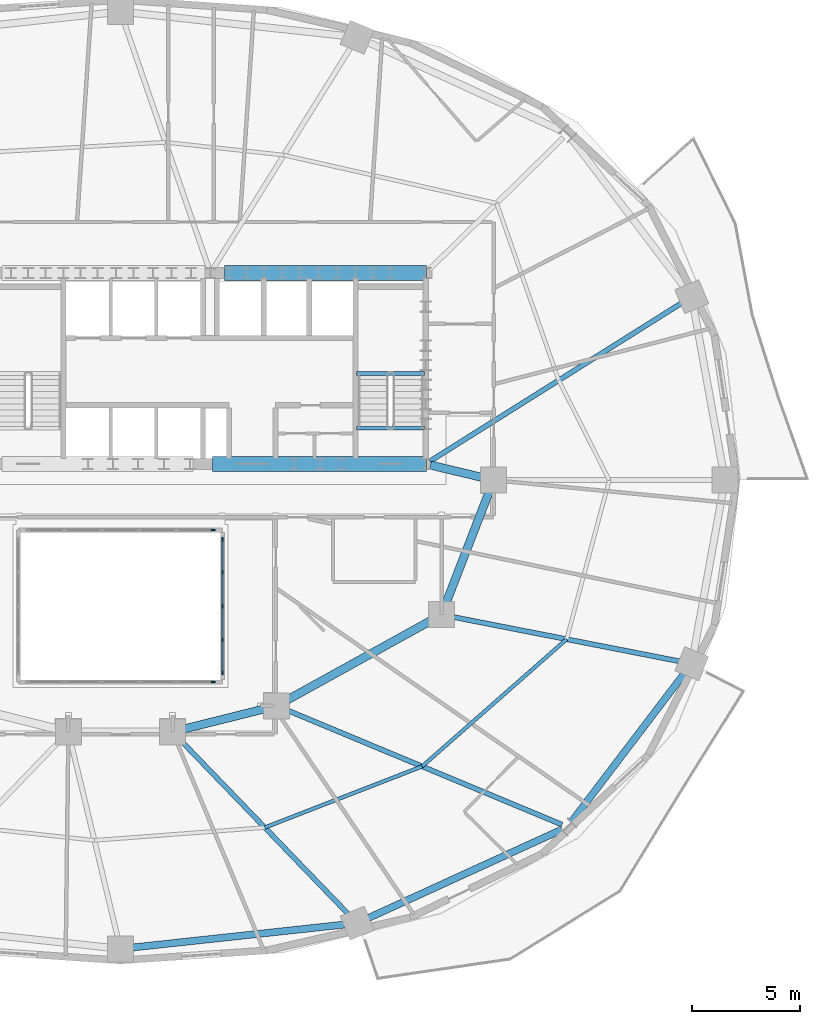
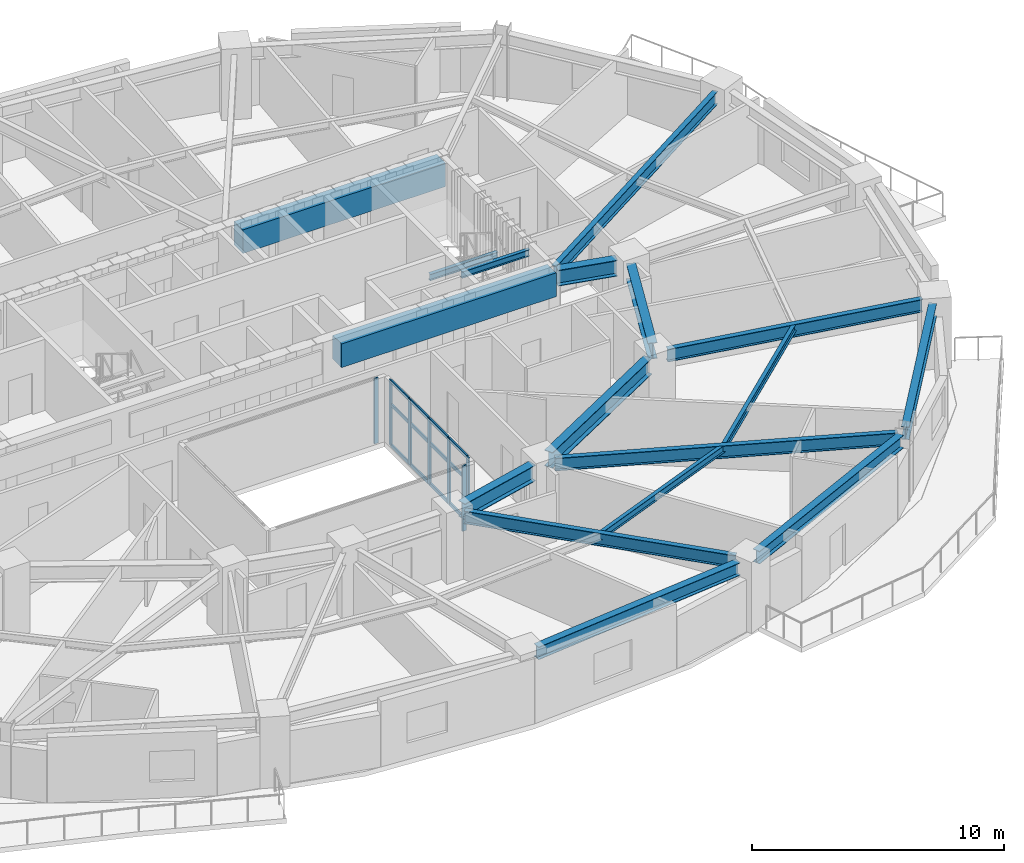
# One storey, part 4 of 14: 19 members, 17 beams, 3 elements without a shape of their own.
"""IFC4 building model written with IfcOpenShell, lengths in metres."""

from ifc_helpers import new_model, si_unit, direction, frame, origin, origin_2d, place, context, subcontext, project, spatial, rectangle, i_section, extrude, material, material_profile, profile_set, type_object, element, aggregate, save


model = new_model("IFC4")

# Units and contexts
model_context = context("Model", 3, precision=1e-05, world=origin(), true_north=direction((0.0, 1.0)))
body_context = subcontext(model_context, "Body", "Model", "MODEL_VIEW")
ifc_project = project(units=[si_unit("LENGTHUNIT", "METRE"), si_unit("AREAUNIT", "SQUARE_METRE"), si_unit("VOLUMEUNIT", "CUBIC_METRE"), si_unit("PLANEANGLEUNIT", "RADIAN"), si_unit("MASSUNIT", "GRAM", prefix="KILO")], contexts=[model_context])

# Site, building, storey
site_placement = place(None, origin())
site = spatial("IfcSite", under=ifc_project, at=site_placement, CompositionType="ELEMENT")
building_placement = place(site_placement, origin())
building = spatial("IfcBuilding", under=site, at=building_placement, Name="Haldorwick Loom Tower", CompositionType="ELEMENT")
storey_placement = place(building_placement, frame((0.0, 0.0, 102.5)))
storey = spatial("IfcBuildingStorey", under=building, at=storey_placement, Name="L27", CompositionType="ELEMENT", Elevation=102.5)

# Curtain wall, member
ifc_material_1 = material(Name="Thermally Broken Anodized Aluminium Curtain Wall Framing", Category="aluminium")
curtain_wall_type = type_object("IfcCurtainWallType", Name="ARC-CW-03", PredefinedType="NOTDEFINED", material=ifc_material_1)
curtain_wall_1_placement = place(storey_placement, origin())
curtain_wall_1 = element("IfcCurtainWall", 1, at=curtain_wall_1_placement, inside=storey, type_object=curtain_wall_type, Name="L27 Atrium Glazed Screen S", PredefinedType="NOTDEFINED")
ifc_material_profile_1 = material_profile(ifc_material_1, rectangle(XDim=0.06591796875, YDim=0.18505859375, at=origin_2d()), Name="ALU_MUL_66X185", Category="aluminium")
ifc_profile_set_1 = profile_set([ifc_material_profile_1], Name="Thermally Broken Anodized Aluminium Curtain Wall Framing")
member_type_1 = type_object("IfcMemberType", Name="ARC-CWM-03", PredefinedType="MULLION", material=ifc_profile_set_1)
member_1_placement = place(storey_placement, frame((40.26708984375, 16.699951171875, 0.0), z_axis=(0.0, 0.0, 1.0), x_axis=(0.0, -1.0, 0.0)))
member_1 = element("IfcMember", 2, at=member_1_placement, type_object=member_type_1, Name="CW-03 mullion 1", PredefinedType="MULLION", context=body_context, shape_type="SweptSolid", body=[
    extrude(rectangle(XDim=0.06591796875, YDim=0.18505859375, at=origin_2d()), origin(), (0.0, 0.0, 1.0), 3.169921875),
])
aggregate(curtain_wall_1, [member_1])

curtain_wall_2_placement = place(storey_placement, origin())
curtain_wall_2 = element("IfcCurtainWall", 3, at=curtain_wall_2_placement, inside=storey, type_object=curtain_wall_type, Name="L27 Atrium Glazed Screen N", PredefinedType="NOTDEFINED")
member_2_placement = place(storey_placement, frame((40.26708984375, 23.699951171875, 0.0), z_axis=(0.0, 0.0, 1.0), x_axis=(0.0, 1.0, 0.0)))
member_2 = element("IfcMember", 4, at=member_2_placement, type_object=member_type_1, Name="CW-03 mullion 6", PredefinedType="MULLION", context=body_context, shape_type="SweptSolid", body=[
    extrude(rectangle(XDim=0.06591796875, YDim=0.18505859375, at=origin_2d()), origin(), (0.0, 0.0, 1.0), 3.169921875),
])
aggregate(curtain_wall_2, [member_2])

# Curtain wall, members
curtain_wall_3_placement = place(storey_placement, origin())
curtain_wall_3 = element("IfcCurtainWall", 5, at=curtain_wall_3_placement, inside=storey, type_object=curtain_wall_type, Name="L27 Atrium Glazed Screen E", PredefinedType="NOTDEFINED")
member_3_placement = place(storey_placement, frame((40.699951171875, 23.26708984375, 0.0), z_axis=(0.0, 0.0, 1.0), x_axis=(1.0, 0.0, 0.0)))
member_3 = element("IfcMember", 6, at=member_3_placement, type_object=member_type_1, Name="CW-03 mullion 1", PredefinedType="MULLION", context=body_context, shape_type="SweptSolid", body=[
    extrude(rectangle(XDim=0.06591796875, YDim=0.18505859375, at=origin_2d()), origin(), (0.0, 0.0, 1.0), 3.169921875),
])
member_4_placement = place(storey_placement, frame((40.699951171875, 21.75, 0.0), z_axis=(0.0, 0.0, 1.0), x_axis=(1.0, 0.0, 0.0)))
member_4 = element("IfcMember", 7, at=member_4_placement, type_object=member_type_1, Name="CW-03 mullion 2", PredefinedType="MULLION", context=body_context, shape_type="SweptSolid", body=[
    extrude(rectangle(XDim=0.06591796875, YDim=0.18505859375, at=origin_2d()), origin(), (0.0, 0.0, 1.0), 3.169921875),
])
member_5_placement = place(storey_placement, frame((40.699951171875, 20.199951171875, 0.0), z_axis=(0.0, 0.0, 1.0), x_axis=(1.0, 0.0, 0.0)))
member_5 = element("IfcMember", 8, at=member_5_placement, type_object=member_type_1, Name="CW-03 mullion 3", PredefinedType="MULLION", context=body_context, shape_type="SweptSolid", body=[
    extrude(rectangle(XDim=0.06591796875, YDim=0.18505859375, at=origin_2d()), origin(), (0.0, 0.0, 1.0), 3.169921875),
])
member_6_placement = place(storey_placement, frame((40.699951171875, 18.64990234375, 0.0), z_axis=(0.0, 0.0, 1.0), x_axis=(1.0, 0.0, 0.0)))
member_6 = element("IfcMember", 9, at=member_6_placement, type_object=member_type_1, Name="CW-03 mullion 4", PredefinedType="MULLION", context=body_context, shape_type="SweptSolid", body=[
    extrude(rectangle(XDim=0.06591796875, YDim=0.18505859375, at=origin_2d()), origin(), (0.0, 0.0, 1.0), 3.169921875),
])
member_7_placement = place(storey_placement, frame((40.699951171875, 17.133056640625, 0.0), z_axis=(0.0, 0.0, 1.0), x_axis=(1.0, 0.0, 0.0)))
member_7 = element("IfcMember", 10, at=member_7_placement, type_object=member_type_1, Name="CW-03 mullion 5", PredefinedType="MULLION", context=body_context, shape_type="SweptSolid", body=[
    extrude(rectangle(XDim=0.06591796875, YDim=0.18505859375, at=origin_2d()), origin(), (0.0, 0.0, 1.0), 3.169921875),
])
ifc_material_profile_2 = material_profile(ifc_material_1, rectangle(XDim=0.06591796875, YDim=0.1650390625, at=origin_2d()), Name="ALU_TRN_66X165", Category="aluminium")
ifc_profile_set_2 = profile_set([ifc_material_profile_2], Name="Thermally Broken Anodized Aluminium Curtain Wall Framing")
member_type_2 = type_object("IfcMemberType", Name="ARC-CWT-03", PredefinedType="USERDEFINED", material=ifc_profile_set_2)
member_8_placement = place(storey_placement, frame((40.699951171875, 23.23388671875, 0.032958984375), z_axis=(0.0, -1.0, 0.0), x_axis=(1.0, 0.0, 0.0)))
member_8 = element("IfcMember", 11, at=member_8_placement, type_object=member_type_2, Name="CW-03 transom 1.1", ObjectType="TRANSOM", PredefinedType="USERDEFINED", context=body_context, shape_type="SweptSolid", body=[
    extrude(rectangle(XDim=0.06591796875, YDim=0.1650390625, at=origin_2d()), origin(), (0.0, 0.0, 1.0), 1.450927734375),
])
member_9_placement = place(storey_placement, frame((40.699951171875, 23.23388671875, 2.0), z_axis=(0.0, -1.0, 0.0), x_axis=(1.0, 0.0, 0.0)))
member_9 = element("IfcMember", 12, at=member_9_placement, type_object=member_type_2, Name="CW-03 transom 1.2", ObjectType="TRANSOM", PredefinedType="USERDEFINED", context=body_context, shape_type="SweptSolid", body=[
    extrude(rectangle(XDim=0.06591796875, YDim=0.1650390625, at=origin_2d()), origin(), (0.0, 0.0, 1.0), 1.450927734375),
])
member_10_placement = place(storey_placement, frame((40.699951171875, 23.23388671875, 3.136962890625), z_axis=(0.0, -1.0, 0.0), x_axis=(1.0, 0.0, 0.0)))
member_10 = element("IfcMember", 13, at=member_10_placement, type_object=member_type_2, Name="CW-03 transom 1.3", ObjectType="TRANSOM", PredefinedType="USERDEFINED", context=body_context, shape_type="SweptSolid", body=[
    extrude(rectangle(XDim=0.06591796875, YDim=0.1650390625, at=origin_2d()), origin(), (0.0, 0.0, 1.0), 1.450927734375),
])
member_11_placement = place(storey_placement, frame((40.699951171875, 21.717041015625, 0.032958984375), z_axis=(0.0, -1.0, 0.0), x_axis=(1.0, 0.0, 0.0)))
member_11 = element("IfcMember", 14, at=member_11_placement, type_object=member_type_2, Name="CW-03 transom 2.1", ObjectType="TRANSOM", PredefinedType="USERDEFINED", context=body_context, shape_type="SweptSolid", body=[
    extrude(rectangle(XDim=0.06591796875, YDim=0.1650390625, at=origin_2d()), origin(), (0.0, 0.0, 1.0), 1.484130859375),
])
member_12_placement = place(storey_placement, frame((40.699951171875, 21.717041015625, 2.0), z_axis=(0.0, -1.0, 0.0), x_axis=(1.0, 0.0, 0.0)))
member_12 = element("IfcMember", 15, at=member_12_placement, type_object=member_type_2, Name="CW-03 transom 2.2", ObjectType="TRANSOM", PredefinedType="USERDEFINED", context=body_context, shape_type="SweptSolid", body=[
    extrude(rectangle(XDim=0.06591796875, YDim=0.1650390625, at=origin_2d()), origin(), (0.0, 0.0, 1.0), 1.484130859375),
])
member_13_placement = place(storey_placement, frame((40.699951171875, 21.717041015625, 3.136962890625), z_axis=(0.0, -1.0, 0.0), x_axis=(1.0, 0.0, 0.0)))
member_13 = element("IfcMember", 16, at=member_13_placement, type_object=member_type_2, Name="CW-03 transom 2.3", ObjectType="TRANSOM", PredefinedType="USERDEFINED", context=body_context, shape_type="SweptSolid", body=[
    extrude(rectangle(XDim=0.06591796875, YDim=0.1650390625, at=origin_2d()), origin(), (0.0, 0.0, 1.0), 1.484130859375),
])
member_14_placement = place(storey_placement, frame((40.699951171875, 20.1669921875, 0.032958984375), z_axis=(0.0, -1.0, 0.0), x_axis=(1.0, 0.0, 0.0)))
member_14 = element("IfcMember", 17, at=member_14_placement, type_object=member_type_2, Name="CW-03 transom 3.1", ObjectType="TRANSOM", PredefinedType="USERDEFINED", context=body_context, shape_type="SweptSolid", body=[
    extrude(rectangle(XDim=0.06591796875, YDim=0.1650390625, at=origin_2d()), origin(), (0.0, 0.0, 1.0), 1.48388671875),
])
member_15_placement = place(storey_placement, frame((40.699951171875, 20.1669921875, 2.0), z_axis=(0.0, -1.0, 0.0), x_axis=(1.0, 0.0, 0.0)))
member_15 = element("IfcMember", 18, at=member_15_placement, type_object=member_type_2, Name="CW-03 transom 3.2", ObjectType="TRANSOM", PredefinedType="USERDEFINED", context=body_context, shape_type="SweptSolid", body=[
    extrude(rectangle(XDim=0.06591796875, YDim=0.1650390625, at=origin_2d()), origin(), (0.0, 0.0, 1.0), 1.48388671875),
])
member_16_placement = place(storey_placement, frame((40.699951171875, 20.1669921875, 3.136962890625), z_axis=(0.0, -1.0, 0.0), x_axis=(1.0, 0.0, 0.0)))
member_16 = element("IfcMember", 19, at=member_16_placement, type_object=member_type_2, Name="CW-03 transom 3.3", ObjectType="TRANSOM", PredefinedType="USERDEFINED", context=body_context, shape_type="SweptSolid", body=[
    extrude(rectangle(XDim=0.06591796875, YDim=0.1650390625, at=origin_2d()), origin(), (0.0, 0.0, 1.0), 1.48388671875),
])
member_17_placement = place(storey_placement, frame((40.699951171875, 18.616943359375, 0.032958984375), z_axis=(0.0, -1.0, 0.0), x_axis=(1.0, 0.0, 0.0)))
member_17 = element("IfcMember", 20, at=member_17_placement, type_object=member_type_2, Name="CW-03 transom 4.1", ObjectType="TRANSOM", PredefinedType="USERDEFINED", context=body_context, shape_type="SweptSolid", body=[
    extrude(rectangle(XDim=0.06591796875, YDim=0.1650390625, at=origin_2d()), origin(), (0.0, 0.0, 1.0), 1.450927734375),
])
member_18_placement = place(storey_placement, frame((40.699951171875, 18.616943359375, 2.0), z_axis=(0.0, -1.0, 0.0), x_axis=(1.0, 0.0, 0.0)))
member_18 = element("IfcMember", 21, at=member_18_placement, type_object=member_type_2, Name="CW-03 transom 4.2", ObjectType="TRANSOM", PredefinedType="USERDEFINED", context=body_context, shape_type="SweptSolid", body=[
    extrude(rectangle(XDim=0.06591796875, YDim=0.1650390625, at=origin_2d()), origin(), (0.0, 0.0, 1.0), 1.450927734375),
])
member_19_placement = place(storey_placement, frame((40.699951171875, 18.616943359375, 3.136962890625), z_axis=(0.0, -1.0, 0.0), x_axis=(1.0, 0.0, 0.0)))
member_19 = element("IfcMember", 22, at=member_19_placement, type_object=member_type_2, Name="CW-03 transom 4.3", ObjectType="TRANSOM", PredefinedType="USERDEFINED", context=body_context, shape_type="SweptSolid", body=[
    extrude(rectangle(XDim=0.06591796875, YDim=0.1650390625, at=origin_2d()), origin(), (0.0, 0.0, 1.0), 1.450927734375),
])
aggregate(curtain_wall_3, [member_3, member_4, member_5, member_6, member_7, member_8, member_9, member_10, member_11, member_12, member_13, member_14, member_15, member_16, member_17, member_18, member_19])

# Beams
ifc_material_2 = material(Name="Concrete C60 (60 MPa)", Category="concrete")
ifc_material_profile_3 = material_profile(ifc_material_2, rectangle(XDim=0.699951171875, YDim=1.14990234375, at=origin_2d()), Name="RC700X1150", Category="concrete")
ifc_profile_set_3 = profile_set([ifc_material_profile_3], Name="Concrete C60 (60 MPa)")
beam_type_1 = type_object("IfcBeamType", Name="STR-BM-CB1150", PredefinedType="LINTEL", material=ifc_profile_set_3)
beam_1_placement = place(storey_placement, frame((40.800048828125, 35.550048828125, 2.594970703125), z_axis=(1.0, 0.0, 0.0), x_axis=(0.0, 1.0, 0.0)))
element("IfcBeam", 23, at=beam_1_placement, inside=storey, type_object=beam_type_1, Name="L27 Core Coupling Beam CB-N3", PredefinedType="LINTEL", context=body_context, shape_type="SweptSolid", body=[
    extrude(rectangle(XDim=0.699951171875, YDim=1.14990234375, at=origin_2d()), origin(), (0.0, 0.0, 1.0), 9.300048828125),
])
beam_2_placement = place(storey_placement, frame((40.25, 26.75, 2.594970703125), z_axis=(1.0, 0.0, 0.0), x_axis=(0.0, 1.0, 0.0)))
element("IfcBeam", 24, at=beam_2_placement, inside=storey, type_object=beam_type_1, Name="L27 Core Coupling Beam CB-S3", PredefinedType="LINTEL", context=body_context, shape_type="SweptSolid", body=[
    extrude(rectangle(XDim=0.699951171875, YDim=1.14990234375, at=origin_2d()), origin(), (0.0, 0.0, 1.0), 9.85009765625),
])
ifc_material_3 = material(Name="Steel CSA G40.21 350W", Category="steel")
ifc_material_profile_4 = material_profile(ifc_material_3, i_section(OverallWidth=0.172119140625, OverallDepth=0.35791015625, WebThickness=0.0078125, FlangeThickness=0.01318359375, at=origin_2d()), Name="W360X57", Category="steel")
ifc_profile_set_4 = profile_set([ifc_material_profile_4], Name="Steel CSA G40.21 350W")
beam_type_2 = type_object("IfcBeamType", Name="STR-BM-J360", PredefinedType="JOIST", material=ifc_profile_set_4)
beam_3_placement = place(storey_placement, frame((42.6533203125, 9.9912109375, 2.990966796875), z_axis=(0.932072983051, 0.362270553959, 0.0), x_axis=(-0.362270553959, 0.932072983051, 0.0)))
element("IfcBeam", 25, at=beam_3_placement, inside=storey, type_object=beam_type_2, Name="L27 Mid-Bay Secondary Joist 14", PredefinedType="JOIST", context=body_context, shape_type="SweptSolid", body=[
    extrude(i_section(OverallWidth=0.172119140625, OverallDepth=0.35791015625, WebThickness=0.0078125, FlangeThickness=0.01318359375, at=origin_2d()), origin(), (0.0, 0.0, 1.0), 7.7783203125),
])
beam_4_placement = place(storey_placement, frame((49.9033203125, 12.80908203125, 2.990966796875), z_axis=(0.750721157729, 0.660619212057, 0.0), x_axis=(-0.660619212057, 0.750721157729, 0.0)))
element("IfcBeam", 26, at=beam_4_placement, inside=storey, type_object=beam_type_2, Name="L27 Mid-Bay Secondary Joist 15", PredefinedType="JOIST", context=body_context, shape_type="SweptSolid", body=[
    extrude(i_section(OverallWidth=0.172119140625, OverallDepth=0.35791015625, WebThickness=0.0078125, FlangeThickness=0.01318359375, at=origin_2d()), origin(), (0.0, 0.0, 1.0), 8.8740234375),
])
ifc_material_profile_5 = material_profile(ifc_material_3, i_section(OverallWidth=0.324951171875, OverallDepth=0.615966796875, WebThickness=0.013916015625, FlangeThickness=0.021484375, at=origin_2d()), Name="W610X174", Category="steel")
ifc_profile_set_5 = profile_set([ifc_material_profile_5], Name="Steel CSA G40.21 350W")
beam_type_3 = type_object("IfcBeamType", Name="STR-BM-SP610", PredefinedType="SPANDREL", material=ifc_profile_set_5)
beam_5_placement = place(storey_placement, frame((36.51708984375, 4.45751953125, 2.862060546875), z_axis=(0.994190135627, 0.107638163409, 0.0), x_axis=(-0.107638163409, 0.994190135627, 0.0)))
element("IfcBeam", 27, at=beam_5_placement, inside=storey, type_object=beam_type_3, Name="L27 Perimeter Spandrel 13", PredefinedType="SPANDREL", context=body_context, shape_type="SweptSolid", body=[
    extrude(i_section(OverallWidth=0.324951171875, OverallDepth=0.615966796875, WebThickness=0.013916015625, FlangeThickness=0.021484375, at=origin_2d()), origin(), (0.0, 0.0, 1.0), 9.929931640625),
])
beam_6_placement = place(storey_placement, frame((47.37939453125, 5.798583984375, 2.862060546875), z_axis=(0.909423969306, 0.415870225011, 0.0), x_axis=(-0.415870225011, 0.909423969306, 0.0)))
element("IfcBeam", 28, at=beam_6_placement, inside=storey, type_object=beam_type_3, Name="L27 Perimeter Spandrel 14", PredefinedType="SPANDREL", context=body_context, shape_type="SweptSolid", body=[
    extrude(i_section(OverallWidth=0.324951171875, OverallDepth=0.615966796875, WebThickness=0.013916015625, FlangeThickness=0.021484375, at=origin_2d()), origin(), (0.0, 0.0, 1.0), 9.871337890625),
])
beam_7_placement = place(storey_placement, frame((56.773193359375, 10.2373046875, 2.862060546875), z_axis=(0.605453508047, 0.795880675475, 0.0), x_axis=(-0.795880675475, 0.605453508047, 0.0)))
element("IfcBeam", 29, at=beam_7_placement, inside=storey, type_object=beam_type_3, Name="L27 Perimeter Spandrel 15", PredefinedType="SPANDREL", context=body_context, shape_type="SweptSolid", body=[
    extrude(i_section(OverallWidth=0.324951171875, OverallDepth=0.615966796875, WebThickness=0.013916015625, FlangeThickness=0.021484375, at=origin_2d()), origin(), (0.0, 0.0, 1.0), 8.6591796875),
])
ifc_material_profile_6 = material_profile(ifc_material_3, i_section(OverallWidth=0.166015625, OverallDepth=0.31298828125, WebThickness=0.006591796875, FlangeThickness=0.01123046875, at=origin_2d()), Name="W310X45", Category="steel")
ifc_profile_set_6 = profile_set([ifc_material_profile_6], Name="Steel CSA G40.21 350W")
beam_type_4 = type_object("IfcBeamType", Name="STR-BM-STRM", PredefinedType="BEAM", material=ifc_profile_set_6)
for number, where, z_axis, x_axis, name in (
    (30, (46.889892578125, 28.39990234375, 3.013427734375), (1.0, 0.0, 0.0), (0.0, 1.0, 0.0), "L27 Stair ST-02 Landing Edge Trimmer"),
    (31, (46.889892578125, 30.919921875, 1.368408203125), (1.0, 0.0, 0.0), (0.0, 1.0, 0.0), "L27 Stair ST-02 Half-Landing Trimmer 1"),
):
    element("IfcBeam", number, at=place(storey_placement, frame(where, z_axis=z_axis, x_axis=x_axis)), inside=storey, type_object=beam_type_4, Name=name, PredefinedType="BEAM", context=body_context, shape_type="SweptSolid", body=[
        extrude(i_section(OverallWidth=0.166015625, OverallDepth=0.31298828125, WebThickness=0.006591796875, FlangeThickness=0.01123046875, at=origin_2d()), origin(), (0.0, 0.0, 1.0), 3.1201171875),
    ])
ifc_material_profile_7 = material_profile(ifc_material_3, i_section(OverallWidth=0.22998046875, OverallDepth=0.616943359375, WebThickness=0.01318359375, FlangeThickness=0.022216796875, at=origin_2d()), Name="W610X140", Category="steel")
ifc_profile_set_7 = profile_set([ifc_material_profile_7], Name="Steel CSA G40.21 350W")
beam_type_5 = type_object("IfcBeamType", Name="STR-BM-W610B", PredefinedType="BEAM", material=ifc_profile_set_7)
beam_8_placement = place(storey_placement, frame((50.260498046875, 26.86962890625, 2.861572265625), z_axis=(0.846609551433, 0.532214493811, 0.0), x_axis=(-0.532214493811, 0.846609551433, 0.0)))
element("IfcBeam", 32, at=beam_8_placement, inside=storey, type_object=beam_type_5, Name="L27 Radial Floor Girder 2", PredefinedType="BEAM", context=body_context, shape_type="SweptSolid", body=[
    extrude(i_section(OverallWidth=0.22998046875, OverallDepth=0.616943359375, WebThickness=0.01318359375, FlangeThickness=0.022216796875, at=origin_2d()), origin(), (0.0, 0.0, 1.0), 13.737060546875),
])
beam_9_placement = place(storey_placement, frame((38.760986328125, 14.02587890625, 2.861572265625), z_axis=(0.694287071595, -0.719698174387, 0.0), x_axis=(0.719698174387, 0.694287071595, 0.0)))
element("IfcBeam", 33, at=beam_9_placement, inside=storey, type_object=beam_type_5, Name="L27 Radial Floor Girder 14", PredefinedType="BEAM", context=body_context, shape_type="SweptSolid", body=[
    extrude(i_section(OverallWidth=0.22998046875, OverallDepth=0.616943359375, WebThickness=0.01318359375, FlangeThickness=0.022216796875, at=origin_2d()), origin(), (0.0, 0.0, 1.0), 11.212158203125),
])
beam_10_placement = place(storey_placement, frame((43.68017578125, 15.400146484375, 2.861572265625), z_axis=(0.923183704764, -0.384359008297, 0.0), x_axis=(0.384359008297, 0.923183704764, 0.0)))
element("IfcBeam", 34, at=beam_10_placement, inside=storey, type_object=beam_type_5, Name="L27 Radial Floor Girder 15", PredefinedType="BEAM", context=body_context, shape_type="SweptSolid", body=[
    extrude(i_section(OverallWidth=0.22998046875, OverallDepth=0.616943359375, WebThickness=0.01318359375, FlangeThickness=0.022216796875, at=origin_2d()), origin(), (0.0, 0.0, 1.0), 13.72705078125),
])
beam_11_placement = place(storey_placement, frame((51.310302734375, 19.7001953125, 2.861572265625), z_axis=(0.981369581426, -0.192129499692, 0.0), x_axis=(0.192129499692, 0.981369581426, 0.0)))
element("IfcBeam", 35, at=beam_11_placement, inside=storey, type_object=beam_type_5, Name="L27 Radial Floor Girder 16", PredefinedType="BEAM", context=body_context, shape_type="SweptSolid", body=[
    extrude(i_section(OverallWidth=0.22998046875, OverallDepth=0.616943359375, WebThickness=0.01318359375, FlangeThickness=0.022216796875, at=origin_2d()), origin(), (0.0, 0.0, 1.0), 10.70947265625),
])
ifc_material_profile_8 = material_profile(ifc_material_3, i_section(OverallWidth=0.381103515625, OverallDepth=0.77294921875, WebThickness=0.0166015625, FlangeThickness=0.027587890625, at=origin_2d()), Name="W760X257", Category="steel")
ifc_profile_set_8 = profile_set([ifc_material_profile_8], Name="Steel CSA G40.21 350W")
beam_type_6 = type_object("IfcBeamType", Name="STR-BM-W760", PredefinedType="BEAM", material=ifc_profile_set_8)
beam_12_placement = place(storey_placement, frame((50.288818359375, 26.697509765625, 2.783447265625), z_axis=(0.97247055837, -0.233025777764, 0.0), x_axis=(0.233025777764, 0.97247055837, 0.0)))
element("IfcBeam", 36, at=beam_12_placement, inside=storey, type_object=beam_type_6, Name="L27 Inner Ring Girder 1", PredefinedType="BEAM", context=body_context, shape_type="SweptSolid", body=[
    extrude(i_section(OverallWidth=0.381103515625, OverallDepth=0.77294921875, WebThickness=0.0166015625, FlangeThickness=0.027587890625, at=origin_2d()), origin(), (0.0, 0.0, 1.0), 2.4736328125),
])
beam_13_placement = place(storey_placement, frame((53.01220703125, 25.51513671875, 2.783447265625), z_axis=(-0.360964792353, -0.93257944363, 0.0), x_axis=(0.93257944363, -0.360964792353, 0.0)))
element("IfcBeam", 37, at=beam_13_placement, inside=storey, type_object=beam_type_6, Name="L27 Inner Ring Girder 2", PredefinedType="BEAM", context=body_context, shape_type="SweptSolid", body=[
    extrude(i_section(OverallWidth=0.381103515625, OverallDepth=0.77294921875, WebThickness=0.0166015625, FlangeThickness=0.027587890625, at=origin_2d()), origin(), (0.0, 0.0, 1.0), 5.6083984375),
])
beam_14_placement = place(storey_placement, frame((50.344970703125, 19.548583984375, 2.783447265625), z_axis=(-0.875244382146, -0.483680960471, 0.0), x_axis=(0.483680960471, -0.875244382146, 0.0)))
element("IfcBeam", 38, at=beam_14_placement, inside=storey, type_object=beam_type_6, Name="L27 Inner Ring Girder 3", PredefinedType="BEAM", context=body_context, shape_type="SweptSolid", body=[
    extrude(i_section(OverallWidth=0.381103515625, OverallDepth=0.77294921875, WebThickness=0.0166015625, FlangeThickness=0.027587890625, at=origin_2d()), origin(), (0.0, 0.0, 1.0), 7.6435546875),
])
beam_15_placement = place(storey_placement, frame((42.695556640625, 15.473876953125, 2.783447265625), z_axis=(-0.970142500145, -0.242535625036, 0.0), x_axis=(0.242535625036, -0.970142500145, 0.0)))
element("IfcBeam", 39, at=beam_15_placement, inside=storey, type_object=beam_type_6, Name="L27 Inner Ring Girder 4", PredefinedType="BEAM", context=body_context, shape_type="SweptSolid", body=[
    extrude(i_section(OverallWidth=0.381103515625, OverallDepth=0.77294921875, WebThickness=0.0166015625, FlangeThickness=0.027587890625, at=origin_2d()), origin(), (0.0, 0.0, 1.0), 3.90771484375),
])

save(model, "model.ifc")
